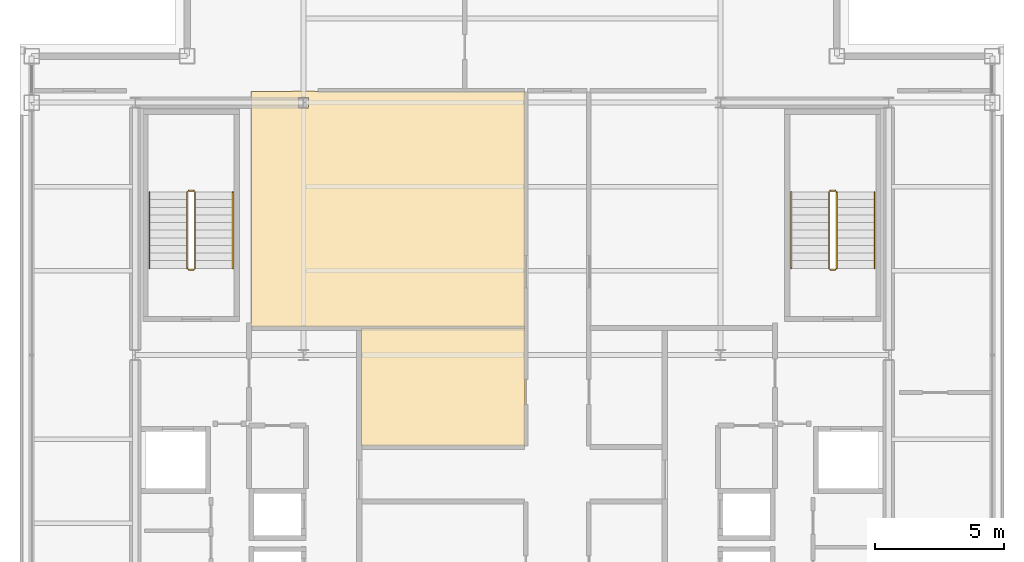
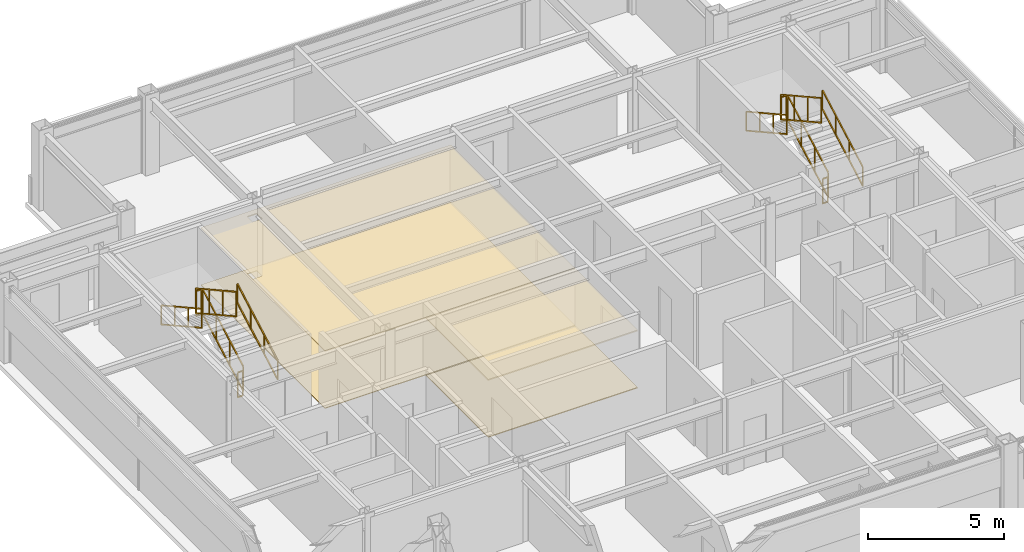
# One storey, part 20 of 20: 12 railings, 4 coverings.
"""IFC4 building model written with IfcOpenShell, lengths in metres."""

from ifc_helpers import new_model, si_unit, direction, frame, origin, origin_2d, place, context, subcontext, project, spatial, polyline, rectangle, outline, extrude, material, layer, layer_set, type_object, element, save


model = new_model("IFC4")

# Units and contexts
model_context = context("Model", 3, precision=1e-05, world=origin(), true_north=direction((0.0, 1.0)))
body_context = subcontext(model_context, "Body", "Model", "MODEL_VIEW")
ifc_project = project(units=[si_unit("LENGTHUNIT", "METRE"), si_unit("AREAUNIT", "SQUARE_METRE"), si_unit("VOLUMEUNIT", "CUBIC_METRE"), si_unit("PLANEANGLEUNIT", "RADIAN"), si_unit("MASSUNIT", "GRAM", prefix="KILO")], contexts=[model_context])

# Site, building, storey
site_placement = place(None, origin())
site = spatial("IfcSite", under=ifc_project, at=site_placement, CompositionType="ELEMENT")
building_placement = place(site_placement, origin())
building = spatial("IfcBuilding", under=site, at=building_placement, Name="Brelmoor Portico Tower", CompositionType="ELEMENT")
storey_placement = place(building_placement, frame((0.0, 0.0, 272.39990234375)))
storey = spatial("IfcBuildingStorey", under=building, at=storey_placement, Name="L72", CompositionType="ELEMENT", Elevation=272.39990234375)

# Coverings
ifc_material_1 = material(Name="Powder-Coated Aluminium Acoustic Baffle Ceiling", Category="aluminium")
ifc_layer_1 = layer(ifc_material_1, 0.044921875)
ifc_layer_set_1 = layer_set([ifc_layer_1], Name="Powder-Coated Aluminium Acoustic Baffle Ceiling")
covering_type_1 = type_object("IfcCoveringType", Name="CV-CEIL-BAFFLE-45", PredefinedType="CEILING", material=ifc_layer_set_1)
covering_1_placement = place(storey_placement, frame((0.0, 0.0, 2.550048828125)))
element("IfcCovering", 1, at=covering_1_placement, inside=storey, type_object=covering_type_1, Name="L72 Acoustic Suspended Ceiling 01", PredefinedType="CEILING", context=body_context, shape_type="SweptSolid", body=[
    extrude(outline(polyline([(-10.080078125, 10.18994140625), (-8.5, 10.18994140625), (-8.5, 10.199951171875), (-7.60009765625, 10.199951171875), (-7.60009765625, 10.18994140625), (0.510009765625, 10.18994140625), (0.510009765625, 1.090087890625), (-10.080078125, 1.090087890625), (-10.080078125, 10.18994140625)]), holes=[polyline([(-7.85009765625, 9.550048828125), (-7.85009765625, 9.949951171875), (-8.25, 9.949951171875), (-8.25, 9.550048828125), (-7.85009765625, 9.550048828125)])]), origin(), (0.0, 0.0, 1.0), 0.045166015625),
])
ifc_material_2 = material(Name="Slatted FSC Oak Acoustic Feature Ceiling", Category="timber")
ifc_layer_2 = layer(ifc_material_2, 0.052001953125)
ifc_layer_set_2 = layer_set([ifc_layer_2], Name="Slatted FSC Oak Acoustic Feature Ceiling")
covering_type_2 = type_object("IfcCoveringType", Name="CV-CEIL-TIMBER-52", PredefinedType="CEILING", material=ifc_layer_set_2)
covering_2_placement = place(storey_placement, frame((0.0, 0.0, 2.550048828125)))
element("IfcCovering", 2, at=covering_2_placement, inside=storey, type_object=covering_type_2, Name="L72 Acoustic Suspended Ceiling 02", PredefinedType="CEILING", context=body_context, shape_type="SweptSolid", body=[
    extrude(outline(polyline([(-5.820068359375, -3.510009765625), (-5.820068359375, 1.0400390625), (0.510009765625, 1.0400390625), (0.510009765625, -3.510009765625), (-5.820068359375, -3.510009765625)])), origin(), (0.0, 0.0, 1.0), 0.052001953125),
])
ifc_material_3 = material(Name="Honed Pearl-Grey Granite Paver Finish", Category="masonry")
ifc_layer_3 = layer(ifc_material_3, 0.0380859375)
ifc_layer_set_3 = layer_set([ifc_layer_3], Name="Honed Pearl-Grey Granite Paver Finish")
covering_type_3 = type_object("IfcCoveringType", Name="CV-FLR-GRANITE-38", PredefinedType="FLOORING", material=ifc_layer_set_3)
covering_3_placement = place(storey_placement, origin())
element("IfcCovering", 3, at=covering_3_placement, inside=storey, type_object=covering_type_3, Name="L72 Architectural Floor Finish 02", PredefinedType="FLOORING", context=body_context, shape_type="SweptSolid", body=[
    extrude(outline(polyline([(-5.820068359375, -3.510009765625), (-5.820068359375, 1.0400390625), (0.510009765625, 1.0400390625), (0.510009765625, -3.510009765625), (-5.820068359375, -3.510009765625)])), origin(), (0.0, 0.0, 1.0), 0.0380859375),
])
ifc_material_4 = material(Name="Polished Pale-Aggregate Cementitious Terrazzo", Category="stone")
ifc_layer_4 = layer(ifc_material_4, 0.030029296875)
ifc_layer_set_4 = layer_set([ifc_layer_4], Name="Polished Pale-Aggregate Cementitious Terrazzo")
covering_type_4 = type_object("IfcCoveringType", Name="CV-FLR-TERRAZZO-30", PredefinedType="FLOORING", material=ifc_layer_set_4)
covering_4_placement = place(storey_placement, origin())
element("IfcCovering", 4, at=covering_4_placement, inside=storey, type_object=covering_type_4, Name="L72 Architectural Floor Finish 01", PredefinedType="FLOORING", context=body_context, shape_type="SweptSolid", body=[
    extrude(outline(polyline([(-10.080078125, 10.18994140625), (-8.5, 10.18994140625), (-8.5, 10.199951171875), (-7.60009765625, 10.199951171875), (-7.60009765625, 10.18994140625), (0.510009765625, 10.18994140625), (0.510009765625, 1.090087890625), (-10.080078125, 1.090087890625), (-10.080078125, 10.18994140625)]), holes=[polyline([(-7.85009765625, 9.550048828125), (-7.85009765625, 9.949951171875), (-8.25, 9.949951171875), (-8.25, 9.550048828125), (-7.85009765625, 9.550048828125)])]), origin(), (0.0, 0.0, 1.0), 0.030029296875),
])

# Railings
ifc_material_5 = material(Name="Painted Tubular Steel Q235B", Category="steel")
railing_type_1 = type_object("IfcRailingType", Name="RL-STAIR-GUARD", PredefinedType="GUARDRAIL", material=ifc_material_5)
railing_1_placement = place(storey_placement, frame((-12.239990234375, 3.35009765625, 0.163818359375)))
element("IfcRailing", 5, at=railing_1_placement, inside=storey, type_object=railing_type_1, Name="L72 ST-W stair guard 1", PredefinedType="GUARDRAIL", context=body_context, shape_type="SweptSolid", body=[
    extrude(rectangle(XDim=0.048095703125, YDim=0.048095703125, at=origin_2d()), frame((0.0, 0.0, 1.1259765625), z_axis=(0.0, 0.87448821551, 0.485046761595), x_axis=(-1.0, 0.0, 0.0)), (0.0, 0.0, 1.0), 3.373291015625),
    extrude(rectangle(XDim=0.048095703125, YDim=0.048095703125, at=origin_2d()), frame((0.0, 0.0, 0.02392578125), z_axis=(0.0, 0.87448821551, 0.485046761595), x_axis=(-1.0, 0.0, 0.0)), (0.0, 0.0, 1.0), 3.373291015625),
    extrude(rectangle(XDim=0.0419921875, YDim=0.0419921875, at=origin_2d()), origin(), (0.0, 0.0, 1.0), 1.101806640625),
    extrude(rectangle(XDim=0.0419921875, YDim=0.0419921875, at=origin_2d()), frame((0.0, 0.9833984375, 0.54541015625)), (0.0, 0.0, 1.0), 1.101806640625),
    extrude(rectangle(XDim=0.0419921875, YDim=0.0419921875, at=origin_2d()), frame((0.0, 1.966552734375, 1.0908203125)), (0.0, 0.0, 1.0), 1.101806640625),
    extrude(rectangle(XDim=0.0419921875, YDim=0.0419921875, at=origin_2d()), frame((0.0, 2.949951171875, 1.63623046875)), (0.0, 0.0, 1.0), 1.101806640625),
])
railing_2_placement = place(storey_placement, frame((-12.2900390625, 6.35009765625, 1.800048828125)))
element("IfcRailing", 6, at=railing_2_placement, inside=storey, type_object=railing_type_1, Name="L72 ST-W stair guard 2", PredefinedType="GUARDRAIL", context=body_context, shape_type="SweptSolid", body=[
    extrude(rectangle(XDim=0.048095703125, YDim=0.048095703125, at=origin_2d()), frame((0.0, 0.0, 1.1259765625), z_axis=(-1.0, 0.0, 0.0), x_axis=(0.0, -1.0, 0.0)), (0.0, 0.0, 1.0), 0.199951171875),
    extrude(rectangle(XDim=0.048095703125, YDim=0.048095703125, at=origin_2d()), frame((0.0, 0.0, 0.02392578125), z_axis=(-1.0, 0.0, 0.0), x_axis=(0.0, -1.0, 0.0)), (0.0, 0.0, 1.0), 0.199951171875),
    extrude(rectangle(XDim=0.0419921875, YDim=0.0419921875, at=origin_2d()), origin(), (0.0, 0.0, 1.0), 1.101806640625),
    extrude(rectangle(XDim=0.0419921875, YDim=0.0419921875, at=origin_2d()), frame((-0.199951171875, 0.0, 0.0)), (0.0, 0.0, 1.0), 1.101806640625),
])
railing_3_placement = place(storey_placement, frame((-12.5400390625, 6.300048828125, 1.963623046875)))
element("IfcRailing", 7, at=railing_3_placement, inside=storey, type_object=railing_type_1, Name="L72 ST-W stair guard 3", PredefinedType="GUARDRAIL", context=body_context, shape_type="SweptSolid", body=[
    extrude(rectangle(XDim=0.048095703125, YDim=0.048095703125, at=origin_2d()), frame((0.0, 0.0, 1.1259765625), z_axis=(0.0, -0.874457516365, 0.485102104791), x_axis=(1.0, 0.0, 0.0)), (0.0, 0.0, 1.0), 3.37353515625),
    extrude(rectangle(XDim=0.048095703125, YDim=0.048095703125, at=origin_2d()), frame((0.0, 0.0, 0.02392578125), z_axis=(0.0, -0.874457516365, 0.485102104791), x_axis=(1.0, 0.0, 0.0)), (0.0, 0.0, 1.0), 3.37353515625),
    extrude(rectangle(XDim=0.0419921875, YDim=0.0419921875, at=origin_2d()), origin(), (0.0, 0.0, 1.0), 1.101806640625),
    extrude(rectangle(XDim=0.0419921875, YDim=0.0419921875, at=origin_2d()), frame((0.0, -0.9833984375, 0.54541015625)), (0.0, 0.0, 1.0), 1.101806640625),
    extrude(rectangle(XDim=0.0419921875, YDim=0.0419921875, at=origin_2d()), frame((0.0, -1.966552734375, 1.091064453125)), (0.0, 0.0, 1.0), 1.101806640625),
    extrude(rectangle(XDim=0.0419921875, YDim=0.0419921875, at=origin_2d()), frame((0.0, -2.949951171875, 1.636474609375)), (0.0, 0.0, 1.0), 1.101806640625),
])
railing_4_placement = place(storey_placement, frame((-12.2900390625, 3.300048828125, 0.0)))
element("IfcRailing", 8, at=railing_4_placement, inside=storey, type_object=railing_type_1, Name="L72 ST-W stair guard 4", PredefinedType="GUARDRAIL", context=body_context, shape_type="SweptSolid", body=[
    extrude(rectangle(XDim=0.048095703125, YDim=0.048095703125, at=origin_2d()), frame((0.0, 0.0, 1.1259765625), z_axis=(-1.0, 0.0, 0.0), x_axis=(0.0, -1.0, 0.0)), (0.0, 0.0, 1.0), 0.199951171875),
    extrude(rectangle(XDim=0.048095703125, YDim=0.048095703125, at=origin_2d()), frame((0.0, 0.0, 0.02392578125), z_axis=(-1.0, 0.0, 0.0), x_axis=(0.0, -1.0, 0.0)), (0.0, 0.0, 1.0), 0.199951171875),
    extrude(rectangle(XDim=0.0419921875, YDim=0.0419921875, at=origin_2d()), origin(), (0.0, 0.0, 1.0), 1.101806640625),
    extrude(rectangle(XDim=0.0419921875, YDim=0.0419921875, at=origin_2d()), frame((-0.199951171875, 0.0, 0.0)), (0.0, 0.0, 1.0), 1.101806640625),
])
railing_5_placement = place(storey_placement, frame((12.5400390625, 3.35009765625, 0.163818359375)))
element("IfcRailing", 9, at=railing_5_placement, inside=storey, type_object=railing_type_1, Name="L72 ST-E stair guard 1", PredefinedType="GUARDRAIL", context=body_context, shape_type="SweptSolid", body=[
    extrude(rectangle(XDim=0.048095703125, YDim=0.048095703125, at=origin_2d()), frame((0.0, 0.0, 1.1259765625), z_axis=(0.0, 0.87448821551, 0.485046761595), x_axis=(-1.0, 0.0, 0.0)), (0.0, 0.0, 1.0), 3.373291015625),
    extrude(rectangle(XDim=0.048095703125, YDim=0.048095703125, at=origin_2d()), frame((0.0, 0.0, 0.02392578125), z_axis=(0.0, 0.87448821551, 0.485046761595), x_axis=(-1.0, 0.0, 0.0)), (0.0, 0.0, 1.0), 3.373291015625),
    extrude(rectangle(XDim=0.0419921875, YDim=0.0419921875, at=origin_2d()), origin(), (0.0, 0.0, 1.0), 1.101806640625),
    extrude(rectangle(XDim=0.0419921875, YDim=0.0419921875, at=origin_2d()), frame((0.0, 0.9833984375, 0.54541015625)), (0.0, 0.0, 1.0), 1.101806640625),
    extrude(rectangle(XDim=0.0419921875, YDim=0.0419921875, at=origin_2d()), frame((0.0, 1.966552734375, 1.0908203125)), (0.0, 0.0, 1.0), 1.101806640625),
    extrude(rectangle(XDim=0.0419921875, YDim=0.0419921875, at=origin_2d()), frame((0.0, 2.949951171875, 1.63623046875)), (0.0, 0.0, 1.0), 1.101806640625),
])
railing_6_placement = place(storey_placement, frame((12.489990234375, 6.35009765625, 1.800048828125)))
element("IfcRailing", 10, at=railing_6_placement, inside=storey, type_object=railing_type_1, Name="L72 ST-E stair guard 2", PredefinedType="GUARDRAIL", context=body_context, shape_type="SweptSolid", body=[
    extrude(rectangle(XDim=0.048095703125, YDim=0.048095703125, at=origin_2d()), frame((0.0, 0.0, 1.1259765625), z_axis=(-1.0, 0.0, 0.0), x_axis=(0.0, -1.0, 0.0)), (0.0, 0.0, 1.0), 0.199951171875),
    extrude(rectangle(XDim=0.048095703125, YDim=0.048095703125, at=origin_2d()), frame((0.0, 0.0, 0.02392578125), z_axis=(-1.0, 0.0, 0.0), x_axis=(0.0, -1.0, 0.0)), (0.0, 0.0, 1.0), 0.199951171875),
    extrude(rectangle(XDim=0.0419921875, YDim=0.0419921875, at=origin_2d()), origin(), (0.0, 0.0, 1.0), 1.101806640625),
    extrude(rectangle(XDim=0.0419921875, YDim=0.0419921875, at=origin_2d()), frame((-0.199951171875, 0.0, 0.0)), (0.0, 0.0, 1.0), 1.101806640625),
])
railing_7_placement = place(storey_placement, frame((12.239990234375, 6.300048828125, 1.963623046875)))
element("IfcRailing", 11, at=railing_7_placement, inside=storey, type_object=railing_type_1, Name="L72 ST-E stair guard 3", PredefinedType="GUARDRAIL", context=body_context, shape_type="SweptSolid", body=[
    extrude(rectangle(XDim=0.048095703125, YDim=0.048095703125, at=origin_2d()), frame((0.0, 0.0, 1.1259765625), z_axis=(0.0, -0.874457516365, 0.485102104791), x_axis=(1.0, 0.0, 0.0)), (0.0, 0.0, 1.0), 3.37353515625),
    extrude(rectangle(XDim=0.048095703125, YDim=0.048095703125, at=origin_2d()), frame((0.0, 0.0, 0.02392578125), z_axis=(0.0, -0.874457516365, 0.485102104791), x_axis=(1.0, 0.0, 0.0)), (0.0, 0.0, 1.0), 3.37353515625),
    extrude(rectangle(XDim=0.0419921875, YDim=0.0419921875, at=origin_2d()), origin(), (0.0, 0.0, 1.0), 1.101806640625),
    extrude(rectangle(XDim=0.0419921875, YDim=0.0419921875, at=origin_2d()), frame((0.0, -0.9833984375, 0.54541015625)), (0.0, 0.0, 1.0), 1.101806640625),
    extrude(rectangle(XDim=0.0419921875, YDim=0.0419921875, at=origin_2d()), frame((0.0, -1.966552734375, 1.091064453125)), (0.0, 0.0, 1.0), 1.101806640625),
    extrude(rectangle(XDim=0.0419921875, YDim=0.0419921875, at=origin_2d()), frame((0.0, -2.949951171875, 1.636474609375)), (0.0, 0.0, 1.0), 1.101806640625),
])
railing_8_placement = place(storey_placement, frame((12.489990234375, 3.300048828125, 0.0)))
element("IfcRailing", 12, at=railing_8_placement, inside=storey, type_object=railing_type_1, Name="L72 ST-E stair guard 4", PredefinedType="GUARDRAIL", context=body_context, shape_type="SweptSolid", body=[
    extrude(rectangle(XDim=0.048095703125, YDim=0.048095703125, at=origin_2d()), frame((0.0, 0.0, 1.1259765625), z_axis=(-1.0, 0.0, 0.0), x_axis=(0.0, -1.0, 0.0)), (0.0, 0.0, 1.0), 0.199951171875),
    extrude(rectangle(XDim=0.048095703125, YDim=0.048095703125, at=origin_2d()), frame((0.0, 0.0, 0.02392578125), z_axis=(-1.0, 0.0, 0.0), x_axis=(0.0, -1.0, 0.0)), (0.0, 0.0, 1.0), 0.199951171875),
    extrude(rectangle(XDim=0.0419921875, YDim=0.0419921875, at=origin_2d()), origin(), (0.0, 0.0, 1.0), 1.101806640625),
    extrude(rectangle(XDim=0.0419921875, YDim=0.0419921875, at=origin_2d()), frame((-0.199951171875, 0.0, 0.0)), (0.0, 0.0, 1.0), 1.101806640625),
])
ifc_material_6 = material(Name="Brushed Stainless Steel 304", Category="steel")
railing_type_2 = type_object("IfcRailingType", Name="RL-STAIR-HANDRAIL", PredefinedType="HANDRAIL", material=ifc_material_6)
railing_9_placement = place(storey_placement, frame((-10.780029296875, 3.35009765625, 0.163818359375)))
element("IfcRailing", 13, at=railing_9_placement, inside=storey, type_object=railing_type_2, Name="L72 ST-W stair handrail 1", PredefinedType="HANDRAIL", context=body_context, shape_type="SweptSolid", body=[
    extrude(rectangle(XDim=0.048095703125, YDim=0.048095703125, at=origin_2d()), frame((0.0, 0.0, 0.8759765625), z_axis=(0.0, 0.87448821551, 0.485046761595), x_axis=(-1.0, 0.0, 0.0)), (0.0, 0.0, 1.0), 3.373291015625),
    extrude(rectangle(XDim=0.048095703125, YDim=0.048095703125, at=origin_2d()), frame((0.0, 0.0, 0.02392578125), z_axis=(0.0, 0.87448821551, 0.485046761595), x_axis=(-1.0, 0.0, 0.0)), (0.0, 0.0, 1.0), 3.373291015625),
    extrude(rectangle(XDim=0.0419921875, YDim=0.0419921875, at=origin_2d()), origin(), (0.0, 0.0, 1.0), 0.851806640625),
    extrude(rectangle(XDim=0.0419921875, YDim=0.0419921875, at=origin_2d()), frame((0.0, 0.9833984375, 0.54541015625)), (0.0, 0.0, 1.0), 0.851806640625),
    extrude(rectangle(XDim=0.0419921875, YDim=0.0419921875, at=origin_2d()), frame((0.0, 1.966552734375, 1.0908203125)), (0.0, 0.0, 1.0), 0.851806640625),
    extrude(rectangle(XDim=0.0419921875, YDim=0.0419921875, at=origin_2d()), frame((0.0, 2.949951171875, 1.63623046875)), (0.0, 0.0, 1.0), 0.851806640625),
])
railing_10_placement = place(storey_placement, frame((-14.0, 6.300048828125, 1.963623046875)))
element("IfcRailing", 14, at=railing_10_placement, inside=storey, type_object=railing_type_2, Name="L72 ST-W stair handrail 2", PredefinedType="HANDRAIL", context=body_context, shape_type="SweptSolid", body=[
    extrude(rectangle(XDim=0.048095703125, YDim=0.048095703125, at=origin_2d()), frame((0.0, 0.0, 0.8759765625), z_axis=(0.0, -0.874457516365, 0.485102104791), x_axis=(1.0, 0.0, 0.0)), (0.0, 0.0, 1.0), 3.37353515625),
    extrude(rectangle(XDim=0.048095703125, YDim=0.048095703125, at=origin_2d()), frame((0.0, 0.0, 0.02392578125), z_axis=(0.0, -0.874457516365, 0.485102104791), x_axis=(1.0, 0.0, 0.0)), (0.0, 0.0, 1.0), 3.37353515625),
    extrude(rectangle(XDim=0.0419921875, YDim=0.0419921875, at=origin_2d()), origin(), (0.0, 0.0, 1.0), 0.851806640625),
    extrude(rectangle(XDim=0.0419921875, YDim=0.0419921875, at=origin_2d()), frame((0.0, -0.9833984375, 0.54541015625)), (0.0, 0.0, 1.0), 0.851806640625),
    extrude(rectangle(XDim=0.0419921875, YDim=0.0419921875, at=origin_2d()), frame((0.0, -1.966552734375, 1.091064453125)), (0.0, 0.0, 1.0), 0.851806640625),
    extrude(rectangle(XDim=0.0419921875, YDim=0.0419921875, at=origin_2d()), frame((0.0, -2.949951171875, 1.636474609375)), (0.0, 0.0, 1.0), 0.851806640625),
])
railing_11_placement = place(storey_placement, frame((14.0, 3.35009765625, 0.163818359375)))
element("IfcRailing", 15, at=railing_11_placement, inside=storey, type_object=railing_type_2, Name="L72 ST-E stair handrail 1", PredefinedType="HANDRAIL", context=body_context, shape_type="SweptSolid", body=[
    extrude(rectangle(XDim=0.048095703125, YDim=0.048095703125, at=origin_2d()), frame((0.0, 0.0, 0.8759765625), z_axis=(0.0, 0.87448821551, 0.485046761595), x_axis=(-1.0, 0.0, 0.0)), (0.0, 0.0, 1.0), 3.373291015625),
    extrude(rectangle(XDim=0.048095703125, YDim=0.048095703125, at=origin_2d()), frame((0.0, 0.0, 0.02392578125), z_axis=(0.0, 0.87448821551, 0.485046761595), x_axis=(-1.0, 0.0, 0.0)), (0.0, 0.0, 1.0), 3.373291015625),
    extrude(rectangle(XDim=0.0419921875, YDim=0.0419921875, at=origin_2d()), origin(), (0.0, 0.0, 1.0), 0.851806640625),
    extrude(rectangle(XDim=0.0419921875, YDim=0.0419921875, at=origin_2d()), frame((0.0, 0.9833984375, 0.54541015625)), (0.0, 0.0, 1.0), 0.851806640625),
    extrude(rectangle(XDim=0.0419921875, YDim=0.0419921875, at=origin_2d()), frame((0.0, 1.966552734375, 1.0908203125)), (0.0, 0.0, 1.0), 0.851806640625),
    extrude(rectangle(XDim=0.0419921875, YDim=0.0419921875, at=origin_2d()), frame((0.0, 2.949951171875, 1.63623046875)), (0.0, 0.0, 1.0), 0.851806640625),
])
railing_12_placement = place(storey_placement, frame((10.780029296875, 6.300048828125, 1.963623046875)))
element("IfcRailing", 16, at=railing_12_placement, inside=storey, type_object=railing_type_2, Name="L72 ST-E stair handrail 2", PredefinedType="HANDRAIL", context=body_context, shape_type="SweptSolid", body=[
    extrude(rectangle(XDim=0.048095703125, YDim=0.048095703125, at=origin_2d()), frame((0.0, 0.0, 0.8759765625), z_axis=(0.0, -0.874457516365, 0.485102104791), x_axis=(1.0, 0.0, 0.0)), (0.0, 0.0, 1.0), 3.37353515625),
    extrude(rectangle(XDim=0.048095703125, YDim=0.048095703125, at=origin_2d()), frame((0.0, 0.0, 0.02392578125), z_axis=(0.0, -0.874457516365, 0.485102104791), x_axis=(1.0, 0.0, 0.0)), (0.0, 0.0, 1.0), 3.37353515625),
    extrude(rectangle(XDim=0.0419921875, YDim=0.0419921875, at=origin_2d()), origin(), (0.0, 0.0, 1.0), 0.851806640625),
    extrude(rectangle(XDim=0.0419921875, YDim=0.0419921875, at=origin_2d()), frame((0.0, -0.9833984375, 0.54541015625)), (0.0, 0.0, 1.0), 0.851806640625),
    extrude(rectangle(XDim=0.0419921875, YDim=0.0419921875, at=origin_2d()), frame((0.0, -1.966552734375, 1.091064453125)), (0.0, 0.0, 1.0), 0.851806640625),
    extrude(rectangle(XDim=0.0419921875, YDim=0.0419921875, at=origin_2d()), frame((0.0, -2.949951171875, 1.636474609375)), (0.0, 0.0, 1.0), 0.851806640625),
])

save(model, "model.ifc")
